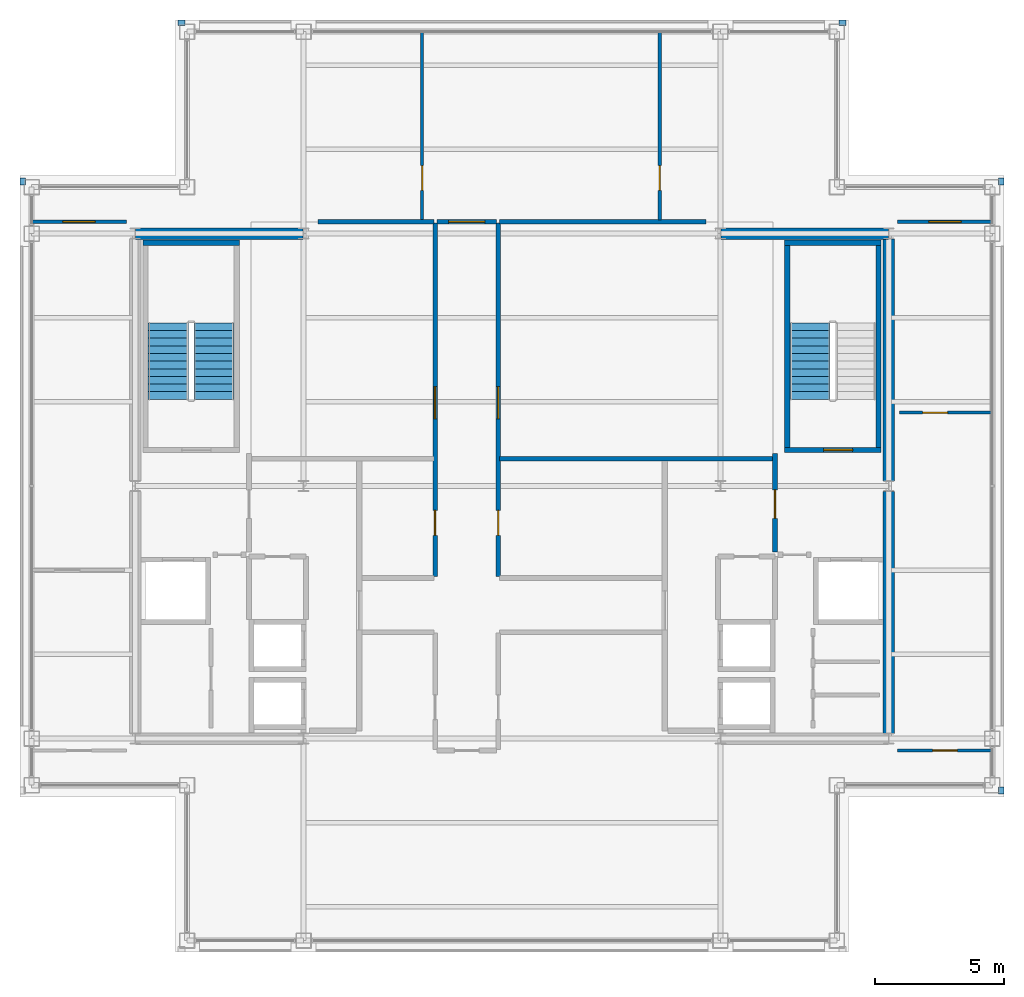
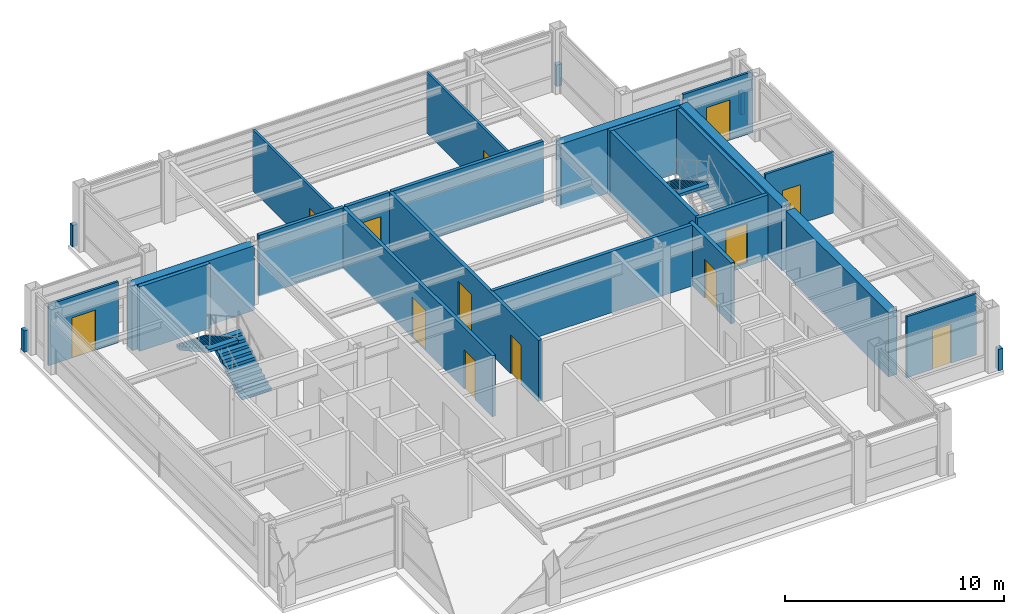
# One storey, part 20 of 22: 27 walls, 13 doors, 3 stair flights, 13 openings, 2 elements without a shape of their own.
"""IFC4 building model written with IfcOpenShell, lengths in metres."""

from ifc_helpers import new_model, si_unit, direction, frame, frame_2d, origin, place, context, subcontext, project, spatial, polyline, rectangle, outline, extrude, material, layer, layer_set, type_object, element, fill, aggregate, save


model = new_model("IFC4")

# Units and contexts
model_context = context("Model", 3, precision=1e-05, world=origin(), true_north=direction((0.0, 1.0)))
body_context = subcontext(model_context, "Body", "Model", "MODEL_VIEW")
ifc_project = project(units=[si_unit("LENGTHUNIT", "METRE"), si_unit("AREAUNIT", "SQUARE_METRE"), si_unit("VOLUMEUNIT", "CUBIC_METRE"), si_unit("PLANEANGLEUNIT", "RADIAN"), si_unit("MASSUNIT", "GRAM", prefix="KILO")], contexts=[model_context])

# Site, building, storey
site_placement = place(None, origin())
site = spatial("IfcSite", under=ifc_project, at=site_placement, CompositionType="ELEMENT")
building_placement = place(site_placement, origin())
building = spatial("IfcBuilding", under=site, at=building_placement, Name="Brelmoor Portico Tower", CompositionType="ELEMENT")
storey_placement = place(building_placement, frame((0.0, 0.0, 280.800048828125)))
storey = spatial("IfcBuildingStorey", under=building, at=storey_placement, Name="L74", CompositionType="ELEMENT", Elevation=280.800048828125)

# Walls
ifc_material_1 = material(Name="Concrete C50", Category="concrete")
ifc_layer_1 = layer(ifc_material_1, 0.449951171875)
ifc_layer_set_1 = layer_set([ifc_layer_1], Name="Concrete C50")
wall_type_1 = type_object("IfcWallType", Name="WL-CORE-450", PredefinedType="SHEAR", material=ifc_layer_set_1)
for number, where, z_axis, x_axis, name in (
    (1, (-14.530029296875, 9.75, -0.199951171875), (0.0, 0.0, 1.0), (1.0, 0.0, 0.0), "L74 WC North Shear Wall"),
    (2, (8.070068359375, 9.75, -0.199951171875), (0.0, 0.0, 1.0), (1.0, 0.0, 0.0), "L74 EC North Shear Wall"),
):
    element("IfcWall", number, at=place(storey_placement, frame(where, z_axis=z_axis, x_axis=x_axis)), inside=storey, type_object=wall_type_1, Name=name, PredefinedType="SHEAR", context=body_context, shape_type="SweptSolid", body=[
        extrude(rectangle(XDim=6.4599609375, YDim=0.449951171875, at=frame_2d((3.22998046875, 0.0))), origin(), (0.0, 0.0, 1.0), 3.599853515625),
    ])
for number, where, z_axis, x_axis, name in (
    (3, (14.550048828125, -9.550048828125, -0.199951171875), (0.0, 0.0, 1.0), (0.0, 1.0, 0.0), "L74 EC Outer South Shear Wall"),
    (4, (14.550048828125, 0.199951171875, -0.199951171875), (0.0, 0.0, 1.0), (0.0, 1.0, 0.0), "L74 EC Outer North Shear Wall"),
):
    element("IfcWall", number, at=place(storey_placement, frame(where, z_axis=z_axis, x_axis=x_axis)), inside=storey, type_object=wall_type_1, Name=name, PredefinedType="SHEAR", context=body_context, shape_type="SweptSolid", body=[
        extrude(rectangle(XDim=9.35009765625, YDim=0.449951171875, at=frame_2d((4.675048828125, 0.0))), origin(), (0.0, 0.0, 1.0), 3.599853515625),
    ])
ifc_material_2 = material(Name="Concrete C40 Parapet Upstand", Category="concrete")
ifc_layer_2 = layer(ifc_material_2, 0.219970703125)
ifc_layer_set_2 = layer_set([ifc_layer_2], Name="Concrete C40 Parapet Upstand")
wall_type_2 = type_object("IfcWallType", Name="WL-PARAPET-220", PredefinedType="PARAPET", material=ifc_layer_set_2)
for number, where, z_axis, x_axis, name in (
    (5, (18.889892578125, -11.889892578125, 0.0), (0.0, 0.0, 1.0), (0.0, 1.0, 0.0), "L74 Chamfer Vertex Parapet Pier SE2"),
    (6, (-12.889892578125, 17.889892578125, 0.0), (0.0, 0.0, 1.0), (1.0, 0.0, 0.0), "L74 Chamfer Vertex Parapet Pier NW1"),
    (7, (-18.889892578125, 11.6201171875, 0.0), (0.0, 0.0, 1.0), (0.0, 1.0, 0.0), "L74 Chamfer Vertex Parapet Pier NW2"),
    (8, (12.6201171875, 17.889892578125, 0.0), (0.0, 0.0, 1.0), (1.0, 0.0, 0.0), "L74 Chamfer Vertex Parapet Pier NE1"),
    (9, (18.889892578125, 11.6201171875, 0.0), (0.0, 0.0, 1.0), (0.0, 1.0, 0.0), "L74 Chamfer Vertex Parapet Pier NE2"),
):
    element("IfcWall", number, at=place(storey_placement, frame(where, z_axis=z_axis, x_axis=x_axis)), inside=storey, type_object=wall_type_2, Name=name, PredefinedType="PARAPET", context=body_context, shape_type="SweptSolid", body=[
        extrude(rectangle(XDim=0.269775390625, YDim=0.219970703125, at=frame_2d((0.134765625, 0.0))), origin(), (0.0, 0.0, 1.0), 1.199951171875),
    ])

# Wall, opening, door
ifc_material_3 = material(Name="Lightweight Gypsum Office Partition", Category="gypsum")
ifc_layer_3 = layer(ifc_material_3, 0.1201171875)
ifc_layer_set_3 = layer_set([ifc_layer_3], Name="Lightweight Gypsum Office Partition")
wall_type_3 = type_object("IfcWallType", Name="WL-PART-120", PredefinedType="PARTITIONING", material=ifc_layer_set_3)
wall_1_placement = place(storey_placement, frame((-3.46923828125, 10.27001953125, 0.0), z_axis=(0.0, 0.0, 1.0), x_axis=(0.0, 1.0, 0.0)))
wall_1 = element("IfcWall", 10, at=wall_1_placement, inside=storey, type_object=wall_type_3, Name="L74 North Suite Partition 1", PredefinedType="PARTITIONING", context=body_context, shape_type="SweptSolid", body=[
    extrude(rectangle(XDim=7.2900390625, YDim=0.1201171875, at=frame_2d((3.64501953125, 0.0))), origin(), (0.0, 0.0, 1.0), 3.39990234375),
])
opening_1_placement = place(wall_1_placement, frame((1.14990234375, 0.0, 0.0)))
opening_1 = element("IfcOpeningElement", 11, at=opening_1_placement, cuts=wall_1, Name="Opening D-IN2", PredefinedType="OPENING", context=body_context, shape_type="SweptSolid", body=[
    extrude(rectangle(XDim=0.9599609375, YDim=2.179931640625, at=frame_2d((0.47998046875, 1.08984375))), frame((0.0, 0.070068359375, 0.0), z_axis=(0.0, -1.0, 0.0), x_axis=(1.0, 0.0, 0.0)), (0.0, 0.0, 1.0), 0.14013671875),
])
ifc_material_4 = material(Name="Lacquered Timber Suite Door", Category="wood")
door_type_1 = type_object("IfcDoorType", Name="DR-INT-950", OperationType="NOTDEFINED", PredefinedType="DOOR", material=ifc_material_4)
door_1_placement = place(opening_1_placement, origin())
door_1 = element("IfcDoor", 12, at=door_1_placement, inside=storey, type_object=door_type_1, Name="D-3022 L74 North Suite Connecting Door 1", OperationType="SINGLE_SWING_RIGHT", OverallHeight=2.179931640625, OverallWidth=0.9599609375, PredefinedType="DOOR", context=body_context, shape_type="SweptSolid", body=[
    extrude(rectangle(XDim=0.9599609375, YDim=2.179931640625, at=frame_2d((0.47998046875, 1.08984375))), frame((0.0, 0.02490234375, 0.0), z_axis=(0.0, -1.0, 0.0), x_axis=(1.0, 0.0, 0.0)), (0.0, 0.0, 1.0), 0.050048828125),
])
fill(opening_1, door_1)

wall_2_placement = place(storey_placement, frame((5.705078125, 10.27001953125, 0.0), z_axis=(0.0, 0.0, 1.0), x_axis=(0.0, 1.0, 0.0)))
wall_2 = element("IfcWall", 13, at=wall_2_placement, inside=storey, type_object=wall_type_3, Name="L74 North Suite Partition 2", PredefinedType="PARTITIONING", context=body_context, shape_type="SweptSolid", body=[
    extrude(rectangle(XDim=7.2900390625, YDim=0.1201171875, at=frame_2d((3.64501953125, 0.0))), origin(), (0.0, 0.0, 1.0), 3.39990234375),
])
opening_2_placement = place(wall_2_placement, frame((1.14990234375, 0.0, 0.0)))
opening_2 = element("IfcOpeningElement", 14, at=opening_2_placement, cuts=wall_2, Name="Opening D-IN2", PredefinedType="OPENING", context=body_context, shape_type="SweptSolid", body=[
    extrude(rectangle(XDim=0.9599609375, YDim=2.179931640625, at=frame_2d((0.47998046875, 1.08984375))), frame((0.0, 0.070068359375, 0.0), z_axis=(0.0, -1.0, 0.0), x_axis=(1.0, 0.0, 0.0)), (0.0, 0.0, 1.0), 0.14013671875),
])
door_2_placement = place(opening_2_placement, origin())
door_2 = element("IfcDoor", 15, at=door_2_placement, inside=storey, type_object=door_type_1, Name="D-3023 L74 North Suite Connecting Door 2", OperationType="SINGLE_SWING_LEFT", OverallHeight=2.179931640625, OverallWidth=0.9599609375, PredefinedType="DOOR", context=body_context, shape_type="SweptSolid", body=[
    extrude(rectangle(XDim=0.9599609375, YDim=2.179931640625, at=frame_2d((0.47998046875, 1.08984375))), frame((0.0, 0.02490234375, 0.0), z_axis=(0.0, -1.0, 0.0), x_axis=(1.0, 0.0, 0.0)), (0.0, 0.0, 1.0), 0.050048828125),
])
fill(opening_2, door_2)

wall_3_placement = place(storey_placement, frame((-18.56005859375, 10.2099609375, 0.0), z_axis=(0.0, 0.0, 1.0), x_axis=(1.0, 0.0, 0.0)))
wall_3 = element("IfcWall", 16, at=wall_3_placement, inside=storey, type_object=wall_type_3, Name="L74 North Wing Suite Wall WL", PredefinedType="PARTITIONING", context=body_context, shape_type="SweptSolid", body=[
    extrude(rectangle(XDim=3.68017578125, YDim=0.1201171875, at=frame_2d((1.840087890625, 0.0))), origin(), (0.0, 0.0, 1.0), 3.39990234375),
])
opening_3_placement = place(wall_3_placement, frame((1.219970703125, 0.0, 0.0)))
opening_3 = element("IfcOpeningElement", 17, at=opening_3_placement, cuts=wall_3, Name="Opening D-SU1", PredefinedType="OPENING", context=body_context, shape_type="SweptSolid", body=[
    extrude(rectangle(XDim=1.239990234375, YDim=2.239990234375, at=frame_2d((0.6201171875, 1.1201171875))), frame((0.0, 0.070068359375, 0.0), z_axis=(0.0, -1.0, 0.0), x_axis=(1.0, 0.0, 0.0)), (0.0, 0.0, 1.0), 0.14013671875),
])
ifc_material_5 = material(Name="Glazed Timber Executive Suite Door", Category="wood")
door_type_2 = type_object("IfcDoorType", Name="DR-SUITE-1200", OperationType="NOTDEFINED", PredefinedType="DOOR", material=ifc_material_5)
door_3_placement = place(opening_3_placement, origin())
door_3 = element("IfcDoor", 18, at=door_3_placement, inside=storey, type_object=door_type_2, Name="D-3025 L74 WL Wing Suite Connecting Door", OperationType="SINGLE_SWING_RIGHT", OverallHeight=2.239990234375, OverallWidth=1.239990234375, PredefinedType="DOOR", context=body_context, shape_type="SweptSolid", body=[
    extrude(rectangle(XDim=1.239990234375, YDim=2.239990234375, at=frame_2d((0.6201171875, 1.1201171875))), frame((0.0, 0.02490234375, 0.0), z_axis=(0.0, -1.0, 0.0), x_axis=(1.0, 0.0, 0.0)), (0.0, 0.0, 1.0), 0.050048828125),
])
fill(opening_3, door_3)

wall_4_placement = place(storey_placement, frame((14.8798828125, 10.2099609375, 0.0), z_axis=(0.0, 0.0, 1.0), x_axis=(1.0, 0.0, 0.0)))
wall_4 = element("IfcWall", 19, at=wall_4_placement, inside=storey, type_object=wall_type_3, Name="L74 North Wing Suite Wall ER", PredefinedType="PARTITIONING", context=body_context, shape_type="SweptSolid", body=[
    extrude(rectangle(XDim=3.68017578125, YDim=0.1201171875, at=frame_2d((1.840087890625, 0.0))), origin(), (0.0, 0.0, 1.0), 3.39990234375),
])
opening_4_placement = place(wall_4_placement, frame((1.219970703125, 0.0, 0.0)))
opening_4 = element("IfcOpeningElement", 20, at=opening_4_placement, cuts=wall_4, Name="Opening D-SU1", PredefinedType="OPENING", context=body_context, shape_type="SweptSolid", body=[
    extrude(rectangle(XDim=1.239990234375, YDim=2.239990234375, at=frame_2d((0.6201171875, 1.1201171875))), frame((0.0, 0.070068359375, 0.0), z_axis=(0.0, -1.0, 0.0), x_axis=(1.0, 0.0, 0.0)), (0.0, 0.0, 1.0), 0.14013671875),
])
door_4_placement = place(opening_4_placement, origin())
door_4 = element("IfcDoor", 21, at=door_4_placement, inside=storey, type_object=door_type_2, Name="D-3024 L74 ER Wing Suite Connecting Door", OperationType="SINGLE_SWING_LEFT", OverallHeight=2.239990234375, OverallWidth=1.239990234375, PredefinedType="DOOR", context=body_context, shape_type="SweptSolid", body=[
    extrude(rectangle(XDim=1.239990234375, YDim=2.239990234375, at=frame_2d((0.6201171875, 1.1201171875))), frame((0.0, 0.02490234375, 0.0), z_axis=(0.0, -1.0, 0.0), x_axis=(1.0, 0.0, 0.0)), (0.0, 0.0, 1.0), 0.050048828125),
])
fill(opening_4, door_4)

wall_5_placement = place(storey_placement, frame((14.8798828125, -10.2099609375, 0.0), z_axis=(0.0, 0.0, 1.0), x_axis=(1.0, 0.0, 0.0)))
wall_5 = element("IfcWall", 22, at=wall_5_placement, inside=storey, type_object=wall_type_3, Name="L74 South Wing Closure ER", PredefinedType="PARTITIONING", context=body_context, shape_type="SweptSolid", body=[
    extrude(rectangle(XDim=3.68017578125, YDim=0.1201171875, at=frame_2d((1.840087890625, 0.0))), origin(), (0.0, 0.0, 1.0), 3.39990234375),
])
opening_5_placement = place(wall_5_placement, frame((1.360107421875, 0.0, 0.0)))
opening_5 = element("IfcOpeningElement", 23, at=opening_5_placement, cuts=wall_5, Name="Opening D-IN2", PredefinedType="OPENING", context=body_context, shape_type="SweptSolid", body=[
    extrude(rectangle(XDim=0.9599609375, YDim=2.179931640625, at=frame_2d((0.47998046875, 1.08984375))), frame((0.0, 0.070068359375, 0.0), z_axis=(0.0, -1.0, 0.0), x_axis=(1.0, 0.0, 0.0)), (0.0, 0.0, 1.0), 0.14013671875),
])
door_5_placement = place(opening_5_placement, origin())
door_5 = element("IfcDoor", 24, at=door_5_placement, inside=storey, type_object=door_type_1, Name="D-3029 L74 ER Wing South Suite Door", OperationType="SINGLE_SWING_RIGHT", OverallHeight=2.179931640625, OverallWidth=0.9599609375, PredefinedType="DOOR", context=body_context, shape_type="SweptSolid", body=[
    extrude(rectangle(XDim=0.9599609375, YDim=2.179931640625, at=frame_2d((0.47998046875, 1.08984375))), frame((0.0, 0.02490234375, 0.0), z_axis=(0.0, -1.0, 0.0), x_axis=(1.0, 0.0, 0.0)), (0.0, 0.0, 1.0), 0.050048828125),
])
fill(opening_5, door_5)

wall_6_placement = place(storey_placement, frame((14.9599609375, 2.83642578125, 0.0), z_axis=(0.0, 0.0, 1.0), x_axis=(1.0, 0.0, 0.0)))
wall_6 = element("IfcWall", 25, at=wall_6_placement, inside=storey, type_object=wall_type_3, Name="L74 E Wing Partition 1", PredefinedType="PARTITIONING", context=body_context, shape_type="SweptSolid", body=[
    extrude(rectangle(XDim=3.60009765625, YDim=0.1201171875, at=frame_2d((1.800048828125, 0.0))), origin(), (0.0, 0.0, 1.0), 3.39990234375),
])
opening_6_placement = place(wall_6_placement, frame((0.89990234375, 0.0, 0.0)))
opening_6 = element("IfcOpeningElement", 26, at=opening_6_placement, cuts=wall_6, Name="Opening D-IN2", PredefinedType="OPENING", context=body_context, shape_type="SweptSolid", body=[
    extrude(rectangle(XDim=0.9599609375, YDim=2.179931640625, at=frame_2d((0.47998046875, 1.08984375))), frame((0.0, 0.070068359375, 0.0), z_axis=(0.0, -1.0, 0.0), x_axis=(1.0, 0.0, 0.0)), (0.0, 0.0, 1.0), 0.14013671875),
])
door_6_placement = place(opening_6_placement, origin())
door_6 = element("IfcDoor", 27, at=door_6_placement, inside=storey, type_object=door_type_1, Name="D-3031 L74 E Wing Suite Connecting Door 1", OperationType="SINGLE_SWING_RIGHT", OverallHeight=2.179931640625, OverallWidth=0.9599609375, PredefinedType="DOOR", context=body_context, shape_type="SweptSolid", body=[
    extrude(rectangle(XDim=0.9599609375, YDim=2.179931640625, at=frame_2d((0.47998046875, 1.08984375))), frame((0.0, 0.02490234375, 0.0), z_axis=(0.0, -1.0, 0.0), x_axis=(1.0, 0.0, 0.0)), (0.0, 0.0, 1.0), 0.050048828125),
])
fill(opening_6, door_6)

# Wall, openings, doors
ifc_material_6 = material(Name="Acoustic Corridor Fire Partition", Category="gypsum")
ifc_layer_4 = layer(ifc_material_6, 0.179931640625)
ifc_layer_set_4 = layer_set([ifc_layer_4], Name="Acoustic Corridor Fire Partition")
wall_type_4 = type_object("IfcWallType", Name="WL-PART-180", PredefinedType="PARTITIONING", material=ifc_layer_set_4)
wall_7_placement = place(storey_placement, frame((-2.969970703125, -3.5, 0.0), z_axis=(0.0, 0.0, 1.0), x_axis=(0.0, 1.0, 0.0)))
wall_7 = element("IfcWall", 28, at=wall_7_placement, inside=storey, type_object=wall_type_4, Name="L74 Central Cross West Wall", PredefinedType="PARTITIONING", context=body_context, shape_type="SweptSolid", body=[
    extrude(rectangle(XDim=13.669921875, YDim=0.179931640625, at=frame_2d((6.8349609375, 0.0))), origin(), (0.0, 0.0, 1.0), 3.39990234375),
])
opening_7_placement = place(wall_7_placement, frame((6.10009765625, 0.0, 0.0)))
opening_7 = element("IfcOpeningElement", 29, at=opening_7_placement, cuts=wall_7, Name="Opening D-SU1", PredefinedType="OPENING", context=body_context, shape_type="SweptSolid", body=[
    extrude(rectangle(XDim=1.239990234375, YDim=2.239990234375, at=frame_2d((0.6201171875, 1.1201171875))), frame((0.0, 0.099853515625, 0.0), z_axis=(0.0, -1.0, 0.0), x_axis=(1.0, 0.0, 0.0)), (0.0, 0.0, 1.0), 0.199951171875),
])
opening_8_placement = place(wall_7_placement, frame((1.60009765625, 0.0, 0.0)))
opening_8 = element("IfcOpeningElement", 30, at=opening_8_placement, cuts=wall_7, Name="Opening D-IN2", PredefinedType="OPENING", context=body_context, shape_type="SweptSolid", body=[
    extrude(rectangle(XDim=0.9599609375, YDim=2.179931640625, at=frame_2d((0.47998046875, 1.08984375))), frame((0.0, 0.099853515625, 0.0), z_axis=(0.0, -1.0, 0.0), x_axis=(1.0, 0.0, 0.0)), (0.0, 0.0, 1.0), 0.199951171875),
])
door_7_placement = place(opening_8_placement, origin())
door_7 = element("IfcDoor", 31, at=door_7_placement, inside=storey, type_object=door_type_1, Name="D-3007 L74 Staff Pantry Door", OperationType="SINGLE_SWING_LEFT", OverallHeight=2.179931640625, OverallWidth=0.9599609375, PredefinedType="DOOR", context=body_context, shape_type="SweptSolid", body=[
    extrude(rectangle(XDim=0.9599609375, YDim=2.179931640625, at=frame_2d((0.47998046875, 1.08984375))), frame((0.0, 0.02490234375, 0.0), z_axis=(0.0, -1.0, 0.0), x_axis=(1.0, 0.0, 0.0)), (0.0, 0.0, 1.0), 0.050048828125),
])
fill(opening_8, door_7)
door_8_placement = place(opening_7_placement, origin())
door_8 = element("IfcDoor", 32, at=door_8_placement, inside=storey, type_object=door_type_2, Name="D-3008 L74 West Reclaimed Studio Door", OperationType="SINGLE_SWING_RIGHT", OverallHeight=2.239990234375, OverallWidth=1.239990234375, PredefinedType="DOOR", context=body_context, shape_type="SweptSolid", body=[
    extrude(rectangle(XDim=1.239990234375, YDim=2.239990234375, at=frame_2d((0.6201171875, 1.1201171875))), frame((0.0, 0.02490234375, 0.0), z_axis=(0.0, -1.0, 0.0), x_axis=(1.0, 0.0, 0.0)), (0.0, 0.0, 1.0), 0.050048828125),
])
fill(opening_7, door_8)

# Walls
wall_8_placement = place(storey_placement, frame((-7.5, 10.2099609375, 0.0), z_axis=(0.0, 0.0, 1.0), x_axis=(1.0, 0.0, 0.0)))
element("IfcWall", 33, at=wall_8_placement, inside=storey, type_object=wall_type_4, Name="L74 West Reclaimed Suite North Wall", PredefinedType="PARTITIONING", context=body_context, shape_type="SweptSolid", body=[
    extrude(rectangle(XDim=4.489990234375, YDim=0.179931640625, at=frame_2d((2.2451171875, 0.0))), origin(), (0.0, 0.0, 1.0), 3.39990234375),
])
wall_9_placement = place(storey_placement, frame((-0.489990234375, 1.050048828125, 0.0), z_axis=(0.0, 0.0, 1.0), x_axis=(1.0, 0.0, 0.0)))
element("IfcWall", 34, at=wall_9_placement, inside=storey, type_object=wall_type_4, Name="L74 East Suite South Wall", PredefinedType="PARTITIONING", context=body_context, shape_type="SweptSolid", body=[
    extrude(rectangle(XDim=10.550048828125, YDim=0.179931640625, at=frame_2d((5.27490234375, 0.0))), origin(), (0.0, 0.0, 1.0), 3.39990234375),
])

# Wall, openings, doors
wall_10_placement = place(storey_placement, frame((-0.530029296875, -3.5, 0.0), z_axis=(0.0, 0.0, 1.0), x_axis=(0.0, 1.0, 0.0)))
wall_10 = element("IfcWall", 35, at=wall_10_placement, inside=storey, type_object=wall_type_4, Name="L74 Central Cross East Wall", PredefinedType="PARTITIONING", context=body_context, shape_type="SweptSolid", body=[
    extrude(rectangle(XDim=13.669921875, YDim=0.179931640625, at=frame_2d((6.8349609375, 0.0))), origin(), (0.0, 0.0, 1.0), 3.39990234375),
])
opening_9_placement = place(wall_10_placement, frame((6.10009765625, 0.0, 0.0)))
opening_9 = element("IfcOpeningElement", 36, at=opening_9_placement, cuts=wall_10, Name="Opening D-SU1", PredefinedType="OPENING", context=body_context, shape_type="SweptSolid", body=[
    extrude(rectangle(XDim=1.239990234375, YDim=2.239990234375, at=frame_2d((0.6201171875, 1.1201171875))), frame((0.0, 0.099853515625, 0.0), z_axis=(0.0, -1.0, 0.0), x_axis=(1.0, 0.0, 0.0)), (0.0, 0.0, 1.0), 0.199951171875),
])
opening_10_placement = place(wall_10_placement, frame((1.60009765625, 0.0, 0.0)))
opening_10 = element("IfcOpeningElement", 37, at=opening_10_placement, cuts=wall_10, Name="Opening D-IN2", PredefinedType="OPENING", context=body_context, shape_type="SweptSolid", body=[
    extrude(rectangle(XDim=0.9599609375, YDim=2.179931640625, at=frame_2d((0.47998046875, 1.08984375))), frame((0.0, 0.099853515625, 0.0), z_axis=(0.0, -1.0, 0.0), x_axis=(1.0, 0.0, 0.0)), (0.0, 0.0, 1.0), 0.199951171875),
])
door_9_placement = place(opening_10_placement, origin())
door_9 = element("IfcDoor", 38, at=door_9_placement, inside=storey, type_object=door_type_1, Name="D-3003 L74 Client Project Office Door", OperationType="SINGLE_SWING_LEFT", OverallHeight=2.179931640625, OverallWidth=0.9599609375, PredefinedType="DOOR", context=body_context, shape_type="SweptSolid", body=[
    extrude(rectangle(XDim=0.9599609375, YDim=2.179931640625, at=frame_2d((0.47998046875, 1.08984375))), frame((0.0, 0.02490234375, 0.0), z_axis=(0.0, -1.0, 0.0), x_axis=(1.0, 0.0, 0.0)), (0.0, 0.0, 1.0), 0.050048828125),
])
fill(opening_10, door_9)
door_10_placement = place(opening_9_placement, origin())
door_10 = element("IfcDoor", 39, at=door_10_placement, inside=storey, type_object=door_type_2, Name="D-3004 L74 East Reclaimed Studio Door", OperationType="SINGLE_SWING_RIGHT", OverallHeight=2.239990234375, OverallWidth=1.239990234375, PredefinedType="DOOR", context=body_context, shape_type="SweptSolid", body=[
    extrude(rectangle(XDim=1.239990234375, YDim=2.239990234375, at=frame_2d((0.6201171875, 1.1201171875))), frame((0.0, 0.02490234375, 0.0), z_axis=(0.0, -1.0, 0.0), x_axis=(1.0, 0.0, 0.0)), (0.0, 0.0, 1.0), 0.050048828125),
])
fill(opening_9, door_10)

# Wall
wall_11_placement = place(storey_placement, frame((-0.489990234375, 10.2099609375, 0.0), z_axis=(0.0, 0.0, 1.0), x_axis=(1.0, 0.0, 0.0)))
element("IfcWall", 40, at=wall_11_placement, inside=storey, type_object=wall_type_4, Name="L74 East Suite North Wall", PredefinedType="PARTITIONING", context=body_context, shape_type="SweptSolid", body=[
    extrude(rectangle(XDim=7.989990234375, YDim=0.179931640625, at=frame_2d((3.9951171875, 0.0))), origin(), (0.0, 0.0, 1.0), 3.39990234375),
])

# Wall, opening, door
wall_12_placement = place(storey_placement, frame((-2.89990234375, 10.2099609375, 0.0), z_axis=(0.0, 0.0, 1.0), x_axis=(1.0, 0.0, 0.0)))
wall_12 = element("IfcWall", 41, at=wall_12_placement, inside=storey, type_object=wall_type_4, Name="L74 North Corridor Partition", PredefinedType="PARTITIONING", context=body_context, shape_type="SweptSolid", body=[
    extrude(rectangle(XDim=2.2998046875, YDim=0.179931640625, at=frame_2d((1.14990234375, 0.0))), origin(), (0.0, 0.0, 1.0), 3.39990234375),
])
opening_11_placement = place(wall_12_placement, frame((0.449951171875, 0.0, 0.0)))
opening_11 = element("IfcOpeningElement", 42, at=opening_11_placement, cuts=wall_12, Name="Opening D-SU2", PredefinedType="OPENING", context=body_context, shape_type="SweptSolid", body=[
    extrude(rectangle(XDim=1.39990234375, YDim=2.199951171875, at=frame_2d((0.699951171875, 1.10009765625))), frame((0.0, 0.099853515625, 0.0), z_axis=(0.0, -1.0, 0.0), x_axis=(1.0, 0.0, 0.0)), (0.0, 0.0, 1.0), 0.199951171875),
])
ifc_material_7 = material(Name="Double-Leaf Acoustic Suite Door", Category="timber")
door_type_3 = type_object("IfcDoorType", Name="DR-SUITE-1400", OperationType="NOTDEFINED", PredefinedType="DOOR", material=ifc_material_7)
door_11_placement = place(opening_11_placement, origin())
door_11 = element("IfcDoor", 43, at=door_11_placement, inside=storey, type_object=door_type_3, Name="D-3021 L74 North Board Reception Room 2 Door", OperationType="DOUBLE_DOOR_SINGLE_SWING", OverallHeight=2.199951171875, OverallWidth=1.39990234375, PredefinedType="DOOR", context=body_context, shape_type="SweptSolid", body=[
    extrude(rectangle(XDim=1.39990234375, YDim=2.199951171875, at=frame_2d((0.699951171875, 1.10009765625))), frame((0.0, 0.02490234375, 0.0), z_axis=(0.0, -1.0, 0.0), x_axis=(1.0, 0.0, 0.0)), (0.0, 0.0, 1.0), 0.050048828125),
])
fill(opening_11, door_11)

ifc_material_8 = material(Name="Double-Stud Gypsum Fire Partition", Category="gypsum")
ifc_layer_5 = layer(ifc_material_8, 0.199951171875)
ifc_layer_set_5 = layer_set([ifc_layer_5], Name="Double-Stud Gypsum Fire Partition")
wall_type_5 = type_object("IfcWallType", Name="WL-PART-200", PredefinedType="PARTITIONING", material=ifc_layer_set_5)
wall_13_placement = place(storey_placement, frame((10.159912109375, -2.550048828125, 0.0), z_axis=(0.0, 0.0, 1.0), x_axis=(0.0, 1.0, 0.0)))
wall_13 = element("IfcWall", 44, at=wall_13_placement, inside=storey, type_object=wall_type_5, Name="L74 E Firefighting Lobby Wall", PredefinedType="PARTITIONING", context=body_context, shape_type="SweptSolid", body=[
    extrude(rectangle(XDim=3.800048828125, YDim=0.199951171875, at=frame_2d((1.89990234375, 0.0))), origin(), (0.0, 0.0, 1.0), 3.39990234375),
])
opening_12_placement = place(wall_13_placement, frame((1.300048828125, 0.0, 0.0)))
opening_12 = element("IfcOpeningElement", 45, at=opening_12_placement, cuts=wall_13, Name="Opening D-FR1", PredefinedType="OPENING", context=body_context, shape_type="SweptSolid", body=[
    extrude(rectangle(XDim=1.10009765625, YDim=2.14990234375, at=frame_2d((0.550048828125, 1.074951171875))), frame((0.0, 0.10986328125, 0.0), z_axis=(0.0, -1.0, 0.0), x_axis=(1.0, 0.0, 0.0)), (0.0, 0.0, 1.0), 0.219970703125),
])
ifc_material_9 = material(Name="Painted Galvanised Steel Fire Door", Category="steel")
door_type_4 = type_object("IfcDoorType", Name="DR-FIRE-1100", OperationType="NOTDEFINED", PredefinedType="DOOR", material=ifc_material_9)
door_12_placement = place(opening_12_placement, origin())
door_12 = element("IfcDoor", 46, at=door_12_placement, inside=storey, type_object=door_type_4, Name="D-3017 L74 E Firefighting Lobby Door", OperationType="SINGLE_SWING_RIGHT", OverallHeight=2.14990234375, OverallWidth=1.10009765625, PredefinedType="DOOR", context=body_context, shape_type="SweptSolid", body=[
    extrude(rectangle(XDim=1.10009765625, YDim=2.14990234375, at=frame_2d((0.550048828125, 1.074951171875))), frame((0.0, 0.02490234375, 0.0), z_axis=(0.0, -1.0, 0.0), x_axis=(1.0, 0.0, 0.0)), (0.0, 0.0, 1.0), 0.050048828125),
])
fill(opening_12, door_12)

# Walls
ifc_material_10 = material(Name="Concrete C40", Category="concrete")
ifc_layer_6 = layer(ifc_material_10, 0.199951171875)
ifc_layer_set_6 = layer_set([ifc_layer_6], Name="Concrete C40")
wall_type_6 = type_object("IfcWallType", Name="WL-SHAFT-RC200", PredefinedType="SOLIDWALL", material=ifc_layer_set_6)
wall_14_placement = place(storey_placement, frame((14.14990234375, 1.5, -0.199951171875), z_axis=(0.0, 0.0, 1.0), x_axis=(0.0, 1.0, 0.0)))
element("IfcWall", 47, at=wall_14_placement, inside=storey, type_object=wall_type_6, Name="L74 ST-E Structural Stair Wall Outer", PredefinedType="SOLIDWALL", context=body_context, shape_type="SweptSolid", body=[
    extrude(rectangle(XDim=7.800048828125, YDim=0.199951171875, at=frame_2d((3.89990234375, 0.0))), origin(), (0.0, 0.0, 1.0), 3.599853515625),
])
wall_15_placement = place(storey_placement, frame((-14.25, 9.39990234375, -0.199951171875), z_axis=(0.0, 0.0, 1.0), x_axis=(1.0, 0.0, 0.0)))
element("IfcWall", 48, at=wall_15_placement, inside=storey, type_object=wall_type_6, Name="L74 ST-W Structural Stair Wall N", PredefinedType="SOLIDWALL", context=body_context, shape_type="SweptSolid", body=[
    extrude(rectangle(XDim=3.719970703125, YDim=0.199951171875, at=frame_2d((1.85986328125, 0.0))), origin(), (0.0, 0.0, 1.0), 3.599853515625),
])

# Wall, opening, door
wall_16_placement = place(storey_placement, frame((10.530029296875, 1.39990234375, -0.199951171875), z_axis=(0.0, 0.0, 1.0), x_axis=(1.0, 0.0, 0.0)))
wall_16 = element("IfcWall", 49, at=wall_16_placement, inside=storey, type_object=wall_type_6, Name="L74 ST-E Structural Stair Wall S", PredefinedType="SOLIDWALL", context=body_context, shape_type="SweptSolid", body=[
    extrude(rectangle(XDim=3.719970703125, YDim=0.199951171875, at=frame_2d((1.85986328125, 0.0))), origin(), (0.0, 0.0, 1.0), 3.599853515625),
])
opening_13_placement = place(wall_16_placement, frame((1.5, 0.0, 0.199951171875)))
opening_13 = element("IfcOpeningElement", 50, at=opening_13_placement, cuts=wall_16, Name="Opening D-ST1", PredefinedType="OPENING", context=body_context, shape_type="SweptSolid", body=[
    extrude(rectangle(XDim=1.1201171875, YDim=2.179931640625, at=frame_2d((0.56005859375, 1.08984375))), frame((0.0, 0.10986328125, 0.0), z_axis=(0.0, -1.0, 0.0), x_axis=(1.0, 0.0, 0.0)), (0.0, 0.0, 1.0), 0.219970703125),
])
door_type_5 = type_object("IfcDoorType", Name="DR-STAIR-1100", OperationType="NOTDEFINED", PredefinedType="DOOR", material=ifc_material_9)
door_13_placement = place(opening_13_placement, origin())
door_13 = element("IfcDoor", 51, at=door_13_placement, inside=storey, type_object=door_type_5, Name="D-3027 L74 ST-E Protected Exit Stair Door", OperationType="SINGLE_SWING_RIGHT", OverallHeight=2.179931640625, OverallWidth=1.1201171875, PredefinedType="DOOR", context=body_context, shape_type="SweptSolid", body=[
    extrude(rectangle(XDim=1.1201171875, YDim=2.179931640625, at=frame_2d((0.56005859375, 1.08984375))), frame((0.0, 0.02490234375, 0.0), z_axis=(0.0, -1.0, 0.0), x_axis=(1.0, 0.0, 0.0)), (0.0, 0.0, 1.0), 0.050048828125),
])
fill(opening_13, door_13)

# Walls
wall_17_placement = place(storey_placement, frame((10.530029296875, 9.39990234375, -0.199951171875), z_axis=(0.0, 0.0, 1.0), x_axis=(1.0, 0.0, 0.0)))
element("IfcWall", 52, at=wall_17_placement, inside=storey, type_object=wall_type_6, Name="L74 ST-E Structural Stair Wall N", PredefinedType="SOLIDWALL", context=body_context, shape_type="SweptSolid", body=[
    extrude(rectangle(XDim=3.719970703125, YDim=0.199951171875, at=frame_2d((1.85986328125, 0.0))), origin(), (0.0, 0.0, 1.0), 3.599853515625),
])
wall_18_placement = place(storey_placement, frame((10.6298828125, 1.5, -0.199951171875), z_axis=(0.0, 0.0, 1.0), x_axis=(0.0, 1.0, 0.0)))
element("IfcWall", 53, at=wall_18_placement, inside=storey, type_object=wall_type_6, Name="L74 ST-E Structural Stair Wall Inner", PredefinedType="SOLIDWALL", context=body_context, shape_type="SweptSolid", body=[
    extrude(rectangle(XDim=7.800048828125, YDim=0.199951171875, at=frame_2d((3.89990234375, 0.0))), origin(), (0.0, 0.0, 1.0), 3.599853515625),
])

# Stair, stair flights
stair_type_1 = type_object("IfcStairType", Name="ST-CORE-W", PredefinedType="HALF_TURN_STAIR", material=ifc_material_10)
stair_1_placement = place(storey_placement, origin())
stair_1 = element("IfcStair", 54, at=stair_1_placement, inside=storey, type_object=stair_type_1, Name="L74 Protected Core Exit Stair ST-W", PredefinedType="HALF_TURN_STAIR")
stair_flight_type = type_object("IfcStairFlightType", Name="SF-CORE-1850", PredefinedType="STRAIGHT", material=ifc_material_10)
stair_flight_1_placement = place(storey_placement, frame((-11.510009765625, 3.35009765625, 0.0), z_axis=(0.0, 0.0, 1.0), x_axis=(0.0, 1.0, 0.0)))
stair_flight_1 = element("IfcStairFlight", 55, at=stair_flight_1_placement, type_object=stair_flight_type, Name="ST-W flight 1", NumberOfRisers=11, NumberOfTreads=10, PredefinedType="STRAIGHT", RiserHeight=0.163636364, TreadLength=0.295, context=body_context, shape_type="SweptSolid", body=[
    extrude(outline(polyline([(0.0, 0.0), (0.0, 0.16357421875), (0.294921875, 0.16357421875), (0.294921875, 0.327392578125), (0.590087890625, 0.327392578125), (0.590087890625, 0.490966796875), (0.885009765625, 0.490966796875), (0.885009765625, 0.654541015625), (1.179931640625, 0.654541015625), (1.179931640625, 0.818115234375), (1.47509765625, 0.818115234375), (1.47509765625, 0.98193359375), (1.77001953125, 0.98193359375), (1.77001953125, 1.1455078125), (2.06494140625, 1.1455078125), (2.06494140625, 1.30908203125), (2.360107421875, 1.30908203125), (2.360107421875, 1.47265625), (2.655029296875, 1.47265625), (2.655029296875, 1.636474609375), (2.949951171875, 1.636474609375), (2.949951171875, 1.800048828125), (2.949951171875, 1.46484375), (0.30908203125, 0.0), (0.0, 0.0)])), frame((0.0, 0.780029296875, 0.0), z_axis=(0.0, -1.0, 0.0), x_axis=(1.0, 0.0, 0.0)), (0.0, 0.0, 1.0), 1.56005859375),
])
stair_flight_2_placement = place(storey_placement, frame((-13.27001953125, 6.300048828125, 1.800048828125), z_axis=(0.0, 0.0, 1.0), x_axis=(0.0, -1.0, 0.0)))
stair_flight_2 = element("IfcStairFlight", 56, at=stair_flight_2_placement, type_object=stair_flight_type, Name="ST-W flight 2", NumberOfRisers=11, NumberOfTreads=10, PredefinedType="STRAIGHT", RiserHeight=0.163636364, TreadLength=0.295, context=body_context, shape_type="SweptSolid", body=[
    extrude(outline(polyline([(0.0, 0.0), (0.0, 0.16357421875), (0.294921875, 0.16357421875), (0.294921875, 0.327392578125), (0.590087890625, 0.327392578125), (0.590087890625, 0.490966796875), (0.885009765625, 0.490966796875), (0.885009765625, 0.654541015625), (1.179931640625, 0.654541015625), (1.179931640625, 0.818115234375), (1.47509765625, 0.818115234375), (1.47509765625, 0.98193359375), (1.77001953125, 0.98193359375), (1.77001953125, 1.1455078125), (2.06494140625, 1.1455078125), (2.06494140625, 1.30908203125), (2.360107421875, 1.30908203125), (2.360107421875, 1.47265625), (2.655029296875, 1.47265625), (2.655029296875, 1.636474609375), (2.949951171875, 1.636474609375), (2.949951171875, 1.800048828125), (2.949951171875, 1.46484375), (0.30908203125, 0.0), (0.0, 0.0)])), frame((0.0, 0.780029296875, 0.0), z_axis=(0.0, -1.0, 0.0), x_axis=(1.0, 0.0, 0.0)), (0.0, 0.0, 1.0), 1.56005859375),
])
aggregate(stair_1, [stair_flight_1, stair_flight_2])

# Stair, stair flight
stair_type_2 = type_object("IfcStairType", Name="ST-CORE-E", PredefinedType="HALF_TURN_STAIR", material=ifc_material_10)
stair_2_placement = place(storey_placement, origin())
stair_2 = element("IfcStair", 57, at=stair_2_placement, inside=storey, type_object=stair_type_2, Name="L74 Protected Core Exit Stair ST-E", PredefinedType="HALF_TURN_STAIR")
stair_flight_3_placement = place(storey_placement, frame((11.510009765625, 6.300048828125, 1.800048828125), z_axis=(0.0, 0.0, 1.0), x_axis=(0.0, -1.0, 0.0)))
stair_flight_3 = element("IfcStairFlight", 58, at=stair_flight_3_placement, type_object=stair_flight_type, Name="ST-E flight 2", NumberOfRisers=11, NumberOfTreads=10, PredefinedType="STRAIGHT", RiserHeight=0.163636364, TreadLength=0.295, context=body_context, shape_type="SweptSolid", body=[
    extrude(outline(polyline([(0.0, 0.0), (0.0, 0.16357421875), (0.294921875, 0.16357421875), (0.294921875, 0.327392578125), (0.590087890625, 0.327392578125), (0.590087890625, 0.490966796875), (0.885009765625, 0.490966796875), (0.885009765625, 0.654541015625), (1.179931640625, 0.654541015625), (1.179931640625, 0.818115234375), (1.47509765625, 0.818115234375), (1.47509765625, 0.98193359375), (1.77001953125, 0.98193359375), (1.77001953125, 1.1455078125), (2.06494140625, 1.1455078125), (2.06494140625, 1.30908203125), (2.360107421875, 1.30908203125), (2.360107421875, 1.47265625), (2.655029296875, 1.47265625), (2.655029296875, 1.636474609375), (2.949951171875, 1.636474609375), (2.949951171875, 1.800048828125), (2.949951171875, 1.46484375), (0.30908203125, 0.0), (0.0, 0.0)])), frame((0.0, 0.780029296875, 0.0), z_axis=(0.0, -1.0, 0.0), x_axis=(1.0, 0.0, 0.0)), (0.0, 0.0, 1.0), 1.56005859375),
])
aggregate(stair_2, [stair_flight_3])

save(model, "model.ifc")
